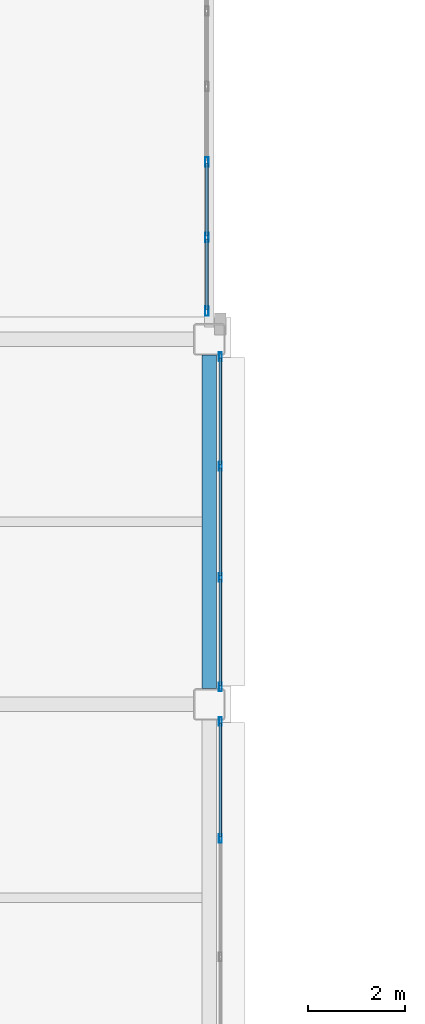
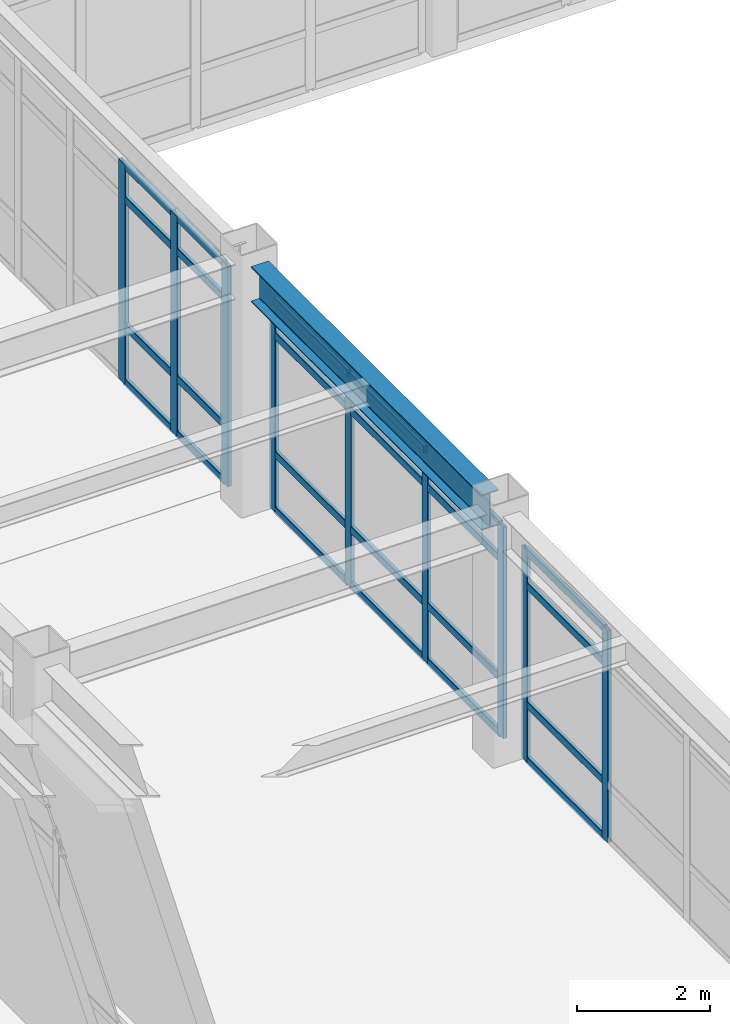
# One storey, part 75 of 172: 33 members, 1 beam, 3 elements without a shape of their own.
"""IFC4 building model written with IfcOpenShell, lengths in metres."""

from ifc_helpers import new_model, si_unit, direction, frame, origin, origin_2d, place, context, subcontext, project, spatial, hollow_rectangle, i_section, extrude, material, layer, layer_set, material_profile, profile_set, type_object, element, aggregate, save


model = new_model("IFC4")

# Units and contexts
model_context = context("Model", 3, precision=1e-05, world=origin(), true_north=direction((0.0, 1.0)))
body_context = subcontext(model_context, "Body", "Model", "MODEL_VIEW")
ifc_project = project(units=[si_unit("LENGTHUNIT", "METRE"), si_unit("AREAUNIT", "SQUARE_METRE"), si_unit("VOLUMEUNIT", "CUBIC_METRE"), si_unit("PLANEANGLEUNIT", "RADIAN"), si_unit("MASSUNIT", "GRAM", prefix="KILO")], contexts=[model_context])

# Site, building, storey
site_placement = place(None, origin())
site = spatial("IfcSite", under=ifc_project, at=site_placement, CompositionType="ELEMENT")
building_placement = place(site_placement, origin())
building = spatial("IfcBuilding", under=site, at=building_placement, Name="Kazehara Bluff Congress Hotel", CompositionType="ELEMENT")
storey_placement = place(building_placement, frame((0.0, 0.0, 5.39990234375)))
storey = spatial("IfcBuildingStorey", under=building, at=storey_placement, Name="L01", CompositionType="ELEMENT", Elevation=5.39990234375)

# Curtain wall, members
ifc_material_1 = material(Name="Anodised aluminium", Category="aluminium")
ifc_layer_1 = layer(ifc_material_1, 0.159912109375)
ifc_layer_set_1 = layer_set([ifc_layer_1], Name="Anodised aluminium")
curtain_wall_type_1 = type_object("IfcCurtainWallType", Name="TP-CW-56", PredefinedType="NOTDEFINED", material=ifc_layer_set_1)
curtain_wall_1_placement = place(storey_placement, origin())
curtain_wall_1 = element("IfcCurtainWall", 1, at=curtain_wall_1_placement, inside=storey, type_object=curtain_wall_type_1, Name="L01 curtain wall CW-56 CW-ENC-V4-L01-6788-6045", PredefinedType="NOTDEFINED")
ifc_material_2 = material(Name="Anodised aluminium", Category="aluminium")
ifc_material_profile_1 = material_profile(ifc_material_2, hollow_rectangle(XDim=0.06494140625, YDim=0.179931640625, WallThickness=0.00390625, InnerFilletRadius=0.00390625, OuterFilletRadius=0.008056640625, at=origin_2d()))
ifc_profile_set_1 = profile_set([ifc_material_profile_1], Name="Anodised aluminium")
member_type_1 = type_object("IfcMemberType", Name="TP-CWM-02", PredefinedType="MULLION", material=ifc_profile_set_1)
member_1_placement = place(storey_placement, frame((67.8798828125, 64.092529296875, 0.0), z_axis=(0.0, 0.0, 1.0), x_axis=(1.0, 0.0, 0.0)))
member_1 = element("IfcMember", 2, at=member_1_placement, type_object=member_type_1, Name="CW-56 mullion 1", PredefinedType="MULLION", context=body_context, shape_type="SweptSolid", body=[
    extrude(hollow_rectangle(XDim=0.06494140625, YDim=0.179931640625, WallThickness=0.00390625, InnerFilletRadius=0.00390625, OuterFilletRadius=0.008056640625, at=origin_2d()), origin(), (0.0, 0.0, 1.0), 3.875),
])
member_2_placement = place(storey_placement, frame((67.8798828125, 61.675048828125, 0.0), z_axis=(0.0, 0.0, 1.0), x_axis=(1.0, 0.0, 0.0)))
member_2 = element("IfcMember", 3, at=member_2_placement, type_object=member_type_1, Name="CW-56 mullion 2", PredefinedType="MULLION", context=body_context, shape_type="SweptSolid", body=[
    extrude(hollow_rectangle(XDim=0.06494140625, YDim=0.179931640625, WallThickness=0.00390625, InnerFilletRadius=0.00390625, OuterFilletRadius=0.008056640625, at=origin_2d()), origin(), (0.0, 0.0, 1.0), 3.875),
])

ifc_material_3 = material(Name="Anodised aluminium", Category="aluminium")
ifc_layer_2 = layer(ifc_material_3, 0.159912109375)
ifc_layer_set_2 = layer_set([ifc_layer_2], Name="Anodised aluminium")
curtain_wall_type_2 = type_object("IfcCurtainWallType", Name="TP-CW-55", PredefinedType="NOTDEFINED", material=ifc_layer_set_2)
curtain_wall_2_placement = place(storey_placement, origin())
curtain_wall_2 = element("IfcCurtainWall", 4, at=curtain_wall_2_placement, inside=storey, type_object=curtain_wall_type_2, Name="L01 curtain wall CW-55 CW-ENC-V4-L01-6788-6822", PredefinedType="NOTDEFINED")
member_3_placement = place(storey_placement, frame((67.8798828125, 71.642578125, 0.0), z_axis=(0.0, 0.0, 1.0), x_axis=(1.0, 0.0, 0.0)))
member_3 = element("IfcMember", 5, at=member_3_placement, type_object=member_type_1, Name="CW-55 mullion 1", PredefinedType="MULLION", context=body_context, shape_type="SweptSolid", body=[
    extrude(hollow_rectangle(XDim=0.06494140625, YDim=0.179931640625, WallThickness=0.00390625, InnerFilletRadius=0.00390625, OuterFilletRadius=0.008056640625, at=origin_2d()), origin(), (0.0, 0.0, 1.0), 3.875),
])
member_4_placement = place(storey_placement, frame((67.8798828125, 69.375, 0.0), z_axis=(0.0, 0.0, 1.0), x_axis=(1.0, 0.0, 0.0)))
member_4 = element("IfcMember", 6, at=member_4_placement, type_object=member_type_1, Name="CW-55 mullion 2", PredefinedType="MULLION", context=body_context, shape_type="SweptSolid", body=[
    extrude(hollow_rectangle(XDim=0.06494140625, YDim=0.179931640625, WallThickness=0.00390625, InnerFilletRadius=0.00390625, OuterFilletRadius=0.008056640625, at=origin_2d()), origin(), (0.0, 0.0, 1.0), 3.875),
])
member_5_placement = place(storey_placement, frame((67.8798828125, 67.074951171875, 0.0), z_axis=(0.0, 0.0, 1.0), x_axis=(1.0, 0.0, 0.0)))
member_5 = element("IfcMember", 7, at=member_5_placement, type_object=member_type_1, Name="CW-55 mullion 3", PredefinedType="MULLION", context=body_context, shape_type="SweptSolid", body=[
    extrude(hollow_rectangle(XDim=0.06494140625, YDim=0.179931640625, WallThickness=0.00390625, InnerFilletRadius=0.00390625, OuterFilletRadius=0.008056640625, at=origin_2d()), origin(), (0.0, 0.0, 1.0), 3.875),
])
member_6_placement = place(storey_placement, frame((67.8798828125, 64.8076171875, 0.0), z_axis=(0.0, 0.0, 1.0), x_axis=(1.0, 0.0, 0.0)))
member_6 = element("IfcMember", 8, at=member_6_placement, type_object=member_type_1, Name="CW-55 mullion 4", PredefinedType="MULLION", context=body_context, shape_type="SweptSolid", body=[
    extrude(hollow_rectangle(XDim=0.06494140625, YDim=0.179931640625, WallThickness=0.00390625, InnerFilletRadius=0.00390625, OuterFilletRadius=0.008056640625, at=origin_2d()), origin(), (0.0, 0.0, 1.0), 3.875),
])

ifc_material_4 = material(Name="Anodised aluminium", Category="aluminium")
ifc_layer_3 = layer(ifc_material_4, 0.159912109375)
ifc_layer_set_3 = layer_set([ifc_layer_3], Name="Anodised aluminium")
curtain_wall_type_3 = type_object("IfcCurtainWallType", Name="TP-CW-02", PredefinedType="NOTDEFINED", material=ifc_layer_set_3)
curtain_wall_3_placement = place(storey_placement, origin())
curtain_wall_3 = element("IfcCurtainWall", 9, at=curtain_wall_3_placement, inside=storey, type_object=curtain_wall_type_3, Name="L01 curtain wall CW-02 CW-BRG-34-L01-B", PredefinedType="NOTDEFINED")
ifc_material_5 = material(Name="Anodised aluminium", Category="aluminium")
ifc_material_profile_2 = material_profile(ifc_material_5, hollow_rectangle(XDim=0.070068359375, YDim=0.199951171875, WallThickness=0.0048828125, InnerFilletRadius=0.0048828125, OuterFilletRadius=0.010009765625, at=origin_2d()))
ifc_profile_set_2 = profile_set([ifc_material_profile_2], Name="Anodised aluminium")
member_type_2 = type_object("IfcMemberType", Name="TP-CWM-03", PredefinedType="MULLION", material=ifc_profile_set_2)
member_7_placement = place(storey_placement, frame((67.60009765625, 72.5849609375, 0.0), z_axis=(0.0, 0.0, 1.0), x_axis=(-1.0, 0.0, 0.0)))
member_7 = element("IfcMember", 10, at=member_7_placement, type_object=member_type_2, Name="CW-02 mullion 1", PredefinedType="MULLION", context=body_context, shape_type="SweptSolid", body=[
    extrude(hollow_rectangle(XDim=0.070068359375, YDim=0.199951171875, WallThickness=0.0048828125, InnerFilletRadius=0.0048828125, OuterFilletRadius=0.010009765625, at=origin_2d()), origin(), (0.0, 0.0, 1.0), 4.025146484375),
])
member_8_placement = place(storey_placement, frame((67.60009765625, 74.110107421875, 0.0), z_axis=(0.0, 0.0, 1.0), x_axis=(-1.0, 0.0, 0.0)))
member_8 = element("IfcMember", 11, at=member_8_placement, type_object=member_type_2, Name="CW-02 mullion 2", PredefinedType="MULLION", context=body_context, shape_type="SweptSolid", body=[
    extrude(hollow_rectangle(XDim=0.070068359375, YDim=0.199951171875, WallThickness=0.0048828125, InnerFilletRadius=0.0048828125, OuterFilletRadius=0.010009765625, at=origin_2d()), origin(), (0.0, 0.0, 1.0), 4.025146484375),
])
member_9_placement = place(storey_placement, frame((67.60009765625, 75.669921875, 0.0), z_axis=(0.0, 0.0, 1.0), x_axis=(-1.0, 0.0, 0.0)))
member_9 = element("IfcMember", 12, at=member_9_placement, type_object=member_type_2, Name="CW-02 mullion 3", PredefinedType="MULLION", context=body_context, shape_type="SweptSolid", body=[
    extrude(hollow_rectangle(XDim=0.070068359375, YDim=0.199951171875, WallThickness=0.0048828125, InnerFilletRadius=0.0048828125, OuterFilletRadius=0.010009765625, at=origin_2d()), origin(), (0.0, 0.0, 1.0), 4.025146484375),
])
ifc_material_6 = material(Name="Anodised aluminium", Category="aluminium")
ifc_material_profile_3 = material_profile(ifc_material_6, hollow_rectangle(XDim=0.06494140625, YDim=0.139892578125, WallThickness=0.00390625, InnerFilletRadius=0.00390625, OuterFilletRadius=0.008056640625, at=origin_2d()))
ifc_profile_set_3 = profile_set([ifc_material_profile_3], Name="Anodised aluminium")
member_type_3 = type_object("IfcMemberType", Name="TP-CWT-02", PredefinedType="USERDEFINED", material=ifc_profile_set_3)
member_10_placement = place(storey_placement, frame((67.60009765625, 72.6201171875, 0.03271484375), z_axis=(0.0, 1.0, 0.0), x_axis=(-1.0, 0.0, 0.0)))
member_10 = element("IfcMember", 13, at=member_10_placement, type_object=member_type_3, Name="CW-02 transom 1.1", ObjectType="TRANSOM", PredefinedType="USERDEFINED", context=body_context, shape_type="SweptSolid", body=[
    extrude(hollow_rectangle(XDim=0.06494140625, YDim=0.139892578125, WallThickness=0.00390625, InnerFilletRadius=0.00390625, OuterFilletRadius=0.008056640625, at=origin_2d()), origin(), (0.0, 0.0, 1.0), 1.454833984375),
])
member_11_placement = place(storey_placement, frame((67.60009765625, 72.6201171875, 1.050048828125), z_axis=(0.0, 1.0, 0.0), x_axis=(-1.0, 0.0, 0.0)))
member_11 = element("IfcMember", 14, at=member_11_placement, type_object=member_type_3, Name="CW-02 transom 1.2", ObjectType="TRANSOM", PredefinedType="USERDEFINED", context=body_context, shape_type="SweptSolid", body=[
    extrude(hollow_rectangle(XDim=0.06494140625, YDim=0.139892578125, WallThickness=0.00390625, InnerFilletRadius=0.00390625, OuterFilletRadius=0.008056640625, at=origin_2d()), origin(), (0.0, 0.0, 1.0), 1.454833984375),
])
member_12_placement = place(storey_placement, frame((67.60009765625, 72.6201171875, 3.375), z_axis=(0.0, 1.0, 0.0), x_axis=(-1.0, 0.0, 0.0)))
member_12 = element("IfcMember", 15, at=member_12_placement, type_object=member_type_3, Name="CW-02 transom 1.3", ObjectType="TRANSOM", PredefinedType="USERDEFINED", context=body_context, shape_type="SweptSolid", body=[
    extrude(hollow_rectangle(XDim=0.06494140625, YDim=0.139892578125, WallThickness=0.00390625, InnerFilletRadius=0.00390625, OuterFilletRadius=0.008056640625, at=origin_2d()), origin(), (0.0, 0.0, 1.0), 1.454833984375),
])
member_13_placement = place(storey_placement, frame((67.60009765625, 72.6201171875, 3.99267578125), z_axis=(0.0, 1.0, 0.0), x_axis=(-1.0, 0.0, 0.0)))
member_13 = element("IfcMember", 16, at=member_13_placement, type_object=member_type_3, Name="CW-02 transom 1.4", ObjectType="TRANSOM", PredefinedType="USERDEFINED", context=body_context, shape_type="SweptSolid", body=[
    extrude(hollow_rectangle(XDim=0.06494140625, YDim=0.139892578125, WallThickness=0.00390625, InnerFilletRadius=0.00390625, OuterFilletRadius=0.008056640625, at=origin_2d()), origin(), (0.0, 0.0, 1.0), 1.454833984375),
])
member_14_placement = place(storey_placement, frame((67.60009765625, 74.14501953125, 0.03271484375), z_axis=(0.0, 1.0, 0.0), x_axis=(-1.0, 0.0, 0.0)))
member_14 = element("IfcMember", 17, at=member_14_placement, type_object=member_type_3, Name="CW-02 transom 2.1", ObjectType="TRANSOM", PredefinedType="USERDEFINED", context=body_context, shape_type="SweptSolid", body=[
    extrude(hollow_rectangle(XDim=0.06494140625, YDim=0.139892578125, WallThickness=0.00390625, InnerFilletRadius=0.00390625, OuterFilletRadius=0.008056640625, at=origin_2d()), origin(), (0.0, 0.0, 1.0), 1.489990234375),
])
member_15_placement = place(storey_placement, frame((67.60009765625, 74.14501953125, 1.050048828125), z_axis=(0.0, 1.0, 0.0), x_axis=(-1.0, 0.0, 0.0)))
member_15 = element("IfcMember", 18, at=member_15_placement, type_object=member_type_3, Name="CW-02 transom 2.2", ObjectType="TRANSOM", PredefinedType="USERDEFINED", context=body_context, shape_type="SweptSolid", body=[
    extrude(hollow_rectangle(XDim=0.06494140625, YDim=0.139892578125, WallThickness=0.00390625, InnerFilletRadius=0.00390625, OuterFilletRadius=0.008056640625, at=origin_2d()), origin(), (0.0, 0.0, 1.0), 1.489990234375),
])
member_16_placement = place(storey_placement, frame((67.60009765625, 74.14501953125, 3.375), z_axis=(0.0, 1.0, 0.0), x_axis=(-1.0, 0.0, 0.0)))
member_16 = element("IfcMember", 19, at=member_16_placement, type_object=member_type_3, Name="CW-02 transom 2.3", ObjectType="TRANSOM", PredefinedType="USERDEFINED", context=body_context, shape_type="SweptSolid", body=[
    extrude(hollow_rectangle(XDim=0.06494140625, YDim=0.139892578125, WallThickness=0.00390625, InnerFilletRadius=0.00390625, OuterFilletRadius=0.008056640625, at=origin_2d()), origin(), (0.0, 0.0, 1.0), 1.489990234375),
])
member_17_placement = place(storey_placement, frame((67.60009765625, 74.14501953125, 3.99267578125), z_axis=(0.0, 1.0, 0.0), x_axis=(-1.0, 0.0, 0.0)))
member_17 = element("IfcMember", 20, at=member_17_placement, type_object=member_type_3, Name="CW-02 transom 2.4", ObjectType="TRANSOM", PredefinedType="USERDEFINED", context=body_context, shape_type="SweptSolid", body=[
    extrude(hollow_rectangle(XDim=0.06494140625, YDim=0.139892578125, WallThickness=0.00390625, InnerFilletRadius=0.00390625, OuterFilletRadius=0.008056640625, at=origin_2d()), origin(), (0.0, 0.0, 1.0), 1.489990234375),
])
aggregate(curtain_wall_3, [member_7, member_8, member_9, member_10, member_11, member_12, member_13, member_14, member_15, member_16, member_17])

# Member
member_18_placement = place(storey_placement, frame((67.8798828125, 64.06005859375, 0.03271484375), z_axis=(0.0, -1.0, 0.0), x_axis=(1.0, 0.0, 0.0)))
member_18 = element("IfcMember", 21, at=member_18_placement, type_object=member_type_3, Name="CW-56 transom 1.1", ObjectType="TRANSOM", PredefinedType="USERDEFINED", context=body_context, shape_type="SweptSolid", body=[
    extrude(hollow_rectangle(XDim=0.06494140625, YDim=0.139892578125, WallThickness=0.00390625, InnerFilletRadius=0.00390625, OuterFilletRadius=0.008056640625, at=origin_2d()), origin(), (0.0, 0.0, 1.0), 2.3525390625),
])

member_19_placement = place(storey_placement, frame((67.8798828125, 64.06005859375, 1.050048828125), z_axis=(0.0, -1.0, 0.0), x_axis=(1.0, 0.0, 0.0)))
member_19 = element("IfcMember", 22, at=member_19_placement, type_object=member_type_3, Name="CW-56 transom 1.2", ObjectType="TRANSOM", PredefinedType="USERDEFINED", context=body_context, shape_type="SweptSolid", body=[
    extrude(hollow_rectangle(XDim=0.06494140625, YDim=0.139892578125, WallThickness=0.00390625, InnerFilletRadius=0.00390625, OuterFilletRadius=0.008056640625, at=origin_2d()), origin(), (0.0, 0.0, 1.0), 2.3525390625),
])

member_20_placement = place(storey_placement, frame((67.8798828125, 64.06005859375, 3.22509765625), z_axis=(0.0, -1.0, 0.0), x_axis=(1.0, 0.0, 0.0)))
member_20 = element("IfcMember", 23, at=member_20_placement, type_object=member_type_3, Name="CW-56 transom 1.3", ObjectType="TRANSOM", PredefinedType="USERDEFINED", context=body_context, shape_type="SweptSolid", body=[
    extrude(hollow_rectangle(XDim=0.06494140625, YDim=0.139892578125, WallThickness=0.00390625, InnerFilletRadius=0.00390625, OuterFilletRadius=0.008056640625, at=origin_2d()), origin(), (0.0, 0.0, 1.0), 2.3525390625),
])

member_21_placement = place(storey_placement, frame((67.8798828125, 64.06005859375, 3.842529296875), z_axis=(0.0, -1.0, 0.0), x_axis=(1.0, 0.0, 0.0)))
member_21 = element("IfcMember", 24, at=member_21_placement, type_object=member_type_3, Name="CW-56 transom 1.4", ObjectType="TRANSOM", PredefinedType="USERDEFINED", context=body_context, shape_type="SweptSolid", body=[
    extrude(hollow_rectangle(XDim=0.06494140625, YDim=0.139892578125, WallThickness=0.00390625, InnerFilletRadius=0.00390625, OuterFilletRadius=0.008056640625, at=origin_2d()), origin(), (0.0, 0.0, 1.0), 2.3525390625),
])

aggregate(curtain_wall_1, [member_1, member_2, member_18, member_19, member_20, member_21])

member_22_placement = place(storey_placement, frame((67.8798828125, 71.610107421875, 0.03271484375), z_axis=(0.0, -1.0, 0.0), x_axis=(1.0, 0.0, 0.0)))
member_22 = element("IfcMember", 25, at=member_22_placement, type_object=member_type_3, Name="CW-55 transom 1.1", ObjectType="TRANSOM", PredefinedType="USERDEFINED", context=body_context, shape_type="SweptSolid", body=[
    extrude(hollow_rectangle(XDim=0.06494140625, YDim=0.139892578125, WallThickness=0.00390625, InnerFilletRadius=0.00390625, OuterFilletRadius=0.008056640625, at=origin_2d()), origin(), (0.0, 0.0, 1.0), 2.20263671875),
])

member_23_placement = place(storey_placement, frame((67.8798828125, 71.610107421875, 1.050048828125), z_axis=(0.0, -1.0, 0.0), x_axis=(1.0, 0.0, 0.0)))
member_23 = element("IfcMember", 26, at=member_23_placement, type_object=member_type_3, Name="CW-55 transom 1.2", ObjectType="TRANSOM", PredefinedType="USERDEFINED", context=body_context, shape_type="SweptSolid", body=[
    extrude(hollow_rectangle(XDim=0.06494140625, YDim=0.139892578125, WallThickness=0.00390625, InnerFilletRadius=0.00390625, OuterFilletRadius=0.008056640625, at=origin_2d()), origin(), (0.0, 0.0, 1.0), 2.20263671875),
])

member_24_placement = place(storey_placement, frame((67.8798828125, 71.610107421875, 3.22509765625), z_axis=(0.0, -1.0, 0.0), x_axis=(1.0, 0.0, 0.0)))
member_24 = element("IfcMember", 27, at=member_24_placement, type_object=member_type_3, Name="CW-55 transom 1.3", ObjectType="TRANSOM", PredefinedType="USERDEFINED", context=body_context, shape_type="SweptSolid", body=[
    extrude(hollow_rectangle(XDim=0.06494140625, YDim=0.139892578125, WallThickness=0.00390625, InnerFilletRadius=0.00390625, OuterFilletRadius=0.008056640625, at=origin_2d()), origin(), (0.0, 0.0, 1.0), 2.20263671875),
])

member_25_placement = place(storey_placement, frame((67.8798828125, 71.610107421875, 3.842529296875), z_axis=(0.0, -1.0, 0.0), x_axis=(1.0, 0.0, 0.0)))
member_25 = element("IfcMember", 28, at=member_25_placement, type_object=member_type_3, Name="CW-55 transom 1.4", ObjectType="TRANSOM", PredefinedType="USERDEFINED", context=body_context, shape_type="SweptSolid", body=[
    extrude(hollow_rectangle(XDim=0.06494140625, YDim=0.139892578125, WallThickness=0.00390625, InnerFilletRadius=0.00390625, OuterFilletRadius=0.008056640625, at=origin_2d()), origin(), (0.0, 0.0, 1.0), 2.20263671875),
])

member_26_placement = place(storey_placement, frame((67.8798828125, 69.342529296875, 0.03271484375), z_axis=(0.0, -1.0, 0.0), x_axis=(1.0, 0.0, 0.0)))
member_26 = element("IfcMember", 29, at=member_26_placement, type_object=member_type_3, Name="CW-55 transom 2.1", ObjectType="TRANSOM", PredefinedType="USERDEFINED", context=body_context, shape_type="SweptSolid", body=[
    extrude(hollow_rectangle(XDim=0.06494140625, YDim=0.139892578125, WallThickness=0.00390625, InnerFilletRadius=0.00390625, OuterFilletRadius=0.008056640625, at=origin_2d()), origin(), (0.0, 0.0, 1.0), 2.235107421875),
])

member_27_placement = place(storey_placement, frame((67.8798828125, 69.342529296875, 1.050048828125), z_axis=(0.0, -1.0, 0.0), x_axis=(1.0, 0.0, 0.0)))
member_27 = element("IfcMember", 30, at=member_27_placement, type_object=member_type_3, Name="CW-55 transom 2.2", ObjectType="TRANSOM", PredefinedType="USERDEFINED", context=body_context, shape_type="SweptSolid", body=[
    extrude(hollow_rectangle(XDim=0.06494140625, YDim=0.139892578125, WallThickness=0.00390625, InnerFilletRadius=0.00390625, OuterFilletRadius=0.008056640625, at=origin_2d()), origin(), (0.0, 0.0, 1.0), 2.235107421875),
])

member_28_placement = place(storey_placement, frame((67.8798828125, 69.342529296875, 3.22509765625), z_axis=(0.0, -1.0, 0.0), x_axis=(1.0, 0.0, 0.0)))
member_28 = element("IfcMember", 31, at=member_28_placement, type_object=member_type_3, Name="CW-55 transom 2.3", ObjectType="TRANSOM", PredefinedType="USERDEFINED", context=body_context, shape_type="SweptSolid", body=[
    extrude(hollow_rectangle(XDim=0.06494140625, YDim=0.139892578125, WallThickness=0.00390625, InnerFilletRadius=0.00390625, OuterFilletRadius=0.008056640625, at=origin_2d()), origin(), (0.0, 0.0, 1.0), 2.235107421875),
])

member_29_placement = place(storey_placement, frame((67.8798828125, 69.342529296875, 3.842529296875), z_axis=(0.0, -1.0, 0.0), x_axis=(1.0, 0.0, 0.0)))
member_29 = element("IfcMember", 32, at=member_29_placement, type_object=member_type_3, Name="CW-55 transom 2.4", ObjectType="TRANSOM", PredefinedType="USERDEFINED", context=body_context, shape_type="SweptSolid", body=[
    extrude(hollow_rectangle(XDim=0.06494140625, YDim=0.139892578125, WallThickness=0.00390625, InnerFilletRadius=0.00390625, OuterFilletRadius=0.008056640625, at=origin_2d()), origin(), (0.0, 0.0, 1.0), 2.235107421875),
])

member_30_placement = place(storey_placement, frame((67.8798828125, 67.04248046875, 0.03271484375), z_axis=(0.0, -1.0, 0.0), x_axis=(1.0, 0.0, 0.0)))
member_30 = element("IfcMember", 33, at=member_30_placement, type_object=member_type_3, Name="CW-55 transom 3.1", ObjectType="TRANSOM", PredefinedType="USERDEFINED", context=body_context, shape_type="SweptSolid", body=[
    extrude(hollow_rectangle(XDim=0.06494140625, YDim=0.139892578125, WallThickness=0.00390625, InnerFilletRadius=0.00390625, OuterFilletRadius=0.008056640625, at=origin_2d()), origin(), (0.0, 0.0, 1.0), 2.202392578125),
])

member_31_placement = place(storey_placement, frame((67.8798828125, 67.04248046875, 1.050048828125), z_axis=(0.0, -1.0, 0.0), x_axis=(1.0, 0.0, 0.0)))
member_31 = element("IfcMember", 34, at=member_31_placement, type_object=member_type_3, Name="CW-55 transom 3.2", ObjectType="TRANSOM", PredefinedType="USERDEFINED", context=body_context, shape_type="SweptSolid", body=[
    extrude(hollow_rectangle(XDim=0.06494140625, YDim=0.139892578125, WallThickness=0.00390625, InnerFilletRadius=0.00390625, OuterFilletRadius=0.008056640625, at=origin_2d()), origin(), (0.0, 0.0, 1.0), 2.202392578125),
])

member_32_placement = place(storey_placement, frame((67.8798828125, 67.04248046875, 3.22509765625), z_axis=(0.0, -1.0, 0.0), x_axis=(1.0, 0.0, 0.0)))
member_32 = element("IfcMember", 35, at=member_32_placement, type_object=member_type_3, Name="CW-55 transom 3.3", ObjectType="TRANSOM", PredefinedType="USERDEFINED", context=body_context, shape_type="SweptSolid", body=[
    extrude(hollow_rectangle(XDim=0.06494140625, YDim=0.139892578125, WallThickness=0.00390625, InnerFilletRadius=0.00390625, OuterFilletRadius=0.008056640625, at=origin_2d()), origin(), (0.0, 0.0, 1.0), 2.202392578125),
])

member_33_placement = place(storey_placement, frame((67.8798828125, 67.04248046875, 3.842529296875), z_axis=(0.0, -1.0, 0.0), x_axis=(1.0, 0.0, 0.0)))
member_33 = element("IfcMember", 36, at=member_33_placement, type_object=member_type_3, Name="CW-55 transom 3.4", ObjectType="TRANSOM", PredefinedType="USERDEFINED", context=body_context, shape_type="SweptSolid", body=[
    extrude(hollow_rectangle(XDim=0.06494140625, YDim=0.139892578125, WallThickness=0.00390625, InnerFilletRadius=0.00390625, OuterFilletRadius=0.008056640625, at=origin_2d()), origin(), (0.0, 0.0, 1.0), 2.202392578125),
])

aggregate(curtain_wall_2, [member_3, member_4, member_5, member_6, member_22, member_23, member_24, member_25, member_26, member_27, member_28, member_29, member_30, member_31, member_32, member_33])

# Beam
ifc_material_7 = material(Name="Steel SN490B", Category="steel")
ifc_material_profile_4 = material_profile(ifc_material_7, i_section(OverallWidth=0.300048828125, OverallDepth=0.64990234375, WebThickness=0.011962890625, FlangeThickness=0.02001953125, FilletRadius=0.012939453125, at=origin_2d()))
ifc_profile_set_4 = profile_set([ifc_material_profile_4], Name="Steel SN490B")
beam_type = type_object("IfcBeamType", Name="TP-G-03", PredefinedType="BEAM", material=ifc_profile_set_4)
beam_placement = place(storey_placement, frame((67.64990234375, 64.77490234375, 4.22509765625), z_axis=(0.0, 1.0, 0.0), x_axis=(-1.0, 0.0, 0.0)))
element("IfcBeam", 37, at=beam_placement, inside=storey, type_object=beam_type, Name="L01 girder G-03 161", PredefinedType="BEAM", context=body_context, shape_type="SweptSolid", body=[
    extrude(i_section(OverallWidth=0.300048828125, OverallDepth=0.64990234375, WebThickness=0.011962890625, FlangeThickness=0.02001953125, FilletRadius=0.012939453125, at=origin_2d()), origin(), (0.0, 0.0, 1.0), 6.900146484375),
])

save(model, "model.ifc")
